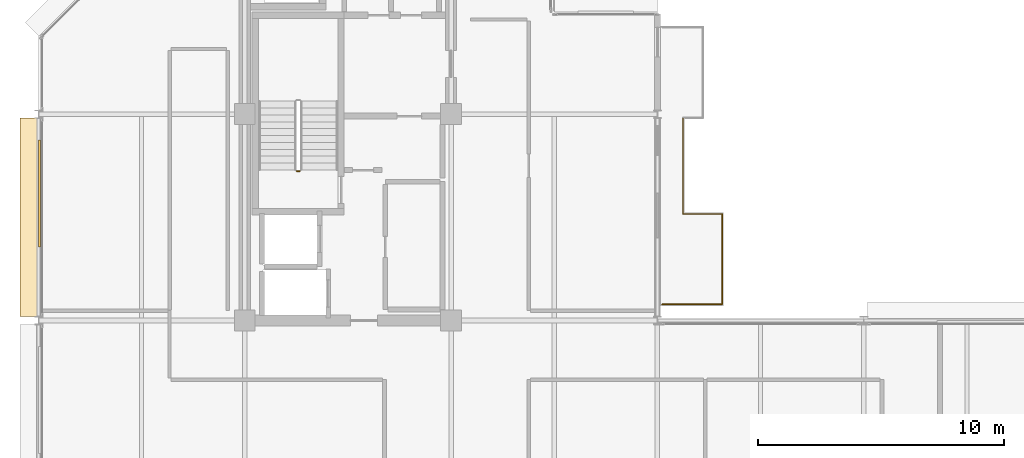
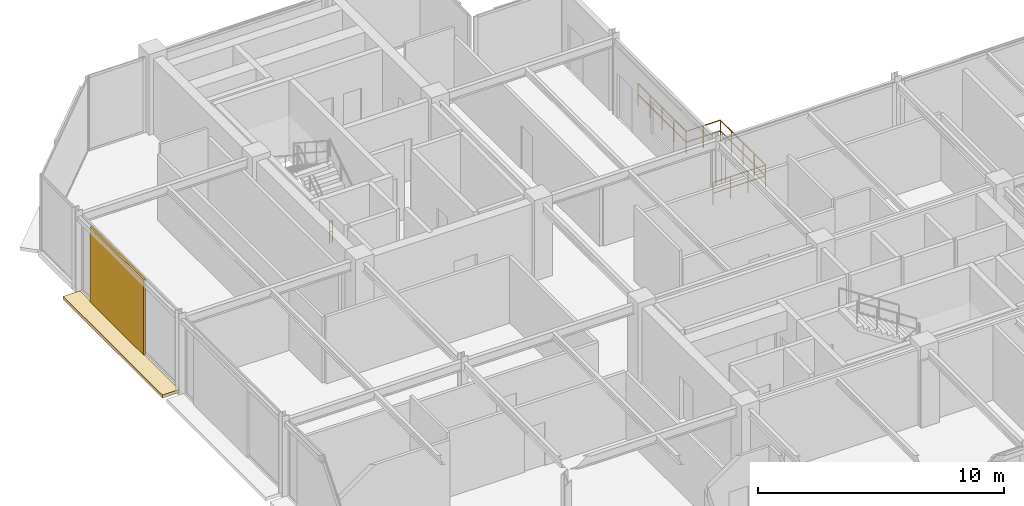
# One storey, part 25 of 27: 5 railings, 2 coverings.
"""IFC4 building model written with IfcOpenShell, lengths in metres."""

from ifc_helpers import new_model, si_unit, direction, frame, origin, origin_2d, place, context, subcontext, project, spatial, polyline, rectangle, circle, outline, extrude, material, layer, layer_set, type_object, element, save


model = new_model("IFC4")

# Units and contexts
model_context = context("Model", 3, precision=1e-05, world=origin(), true_north=direction((0.0, 1.0)))
body_context = subcontext(model_context, "Body", "Model", "MODEL_VIEW")
ifc_project = project(units=[si_unit("LENGTHUNIT", "METRE"), si_unit("AREAUNIT", "SQUARE_METRE"), si_unit("VOLUMEUNIT", "CUBIC_METRE"), si_unit("PLANEANGLEUNIT", "RADIAN"), si_unit("MASSUNIT", "GRAM", prefix="KILO")], contexts=[model_context])

# Site, building, storey
site_placement = place(None, origin())
site = spatial("IfcSite", under=ifc_project, at=site_placement, CompositionType="ELEMENT")
building_placement = place(site_placement, origin())
building = spatial("IfcBuilding", under=site, at=building_placement, Name="Nerrivon Quay Data Exchange", CompositionType="ELEMENT")
storey_placement = place(building_placement, frame((0.0, 0.0, 266.199951171875)))
storey = spatial("IfcBuildingStorey", under=building, at=storey_placement, Name="L63", CompositionType="ELEMENT", Elevation=266.199951171875)

# Coverings
ifc_material_1 = material(Name="Architectural terracotta ceramic", Category="masonry")
ifc_layer_1 = layer(ifc_material_1, 0.159912109375)
ifc_layer_set_1 = layer_set([ifc_layer_1], Name="Architectural terracotta ceramic")
covering_type_1 = type_object("IfcCoveringType", Name="COV-BLD-TERR", PredefinedType="CLADDING", material=ifc_layer_set_1)
covering_1_placement = place(storey_placement, frame((0.0, 0.0, -0.159912109375)))
element("IfcCovering", 1, at=covering_1_placement, inside=storey, type_object=covering_type_1, Name="L63 Horizontal Terracotta SOLAR SCREEN Blade", PredefinedType="CLADDING", context=body_context, shape_type="SweptSolid", body=[
    extrude(outline(polyline([(0.0400390625, 25.363525390625), (0.0400390625, 33.4365234375), (-0.75, 33.4365234375), (-0.75, 25.363525390625), (0.0400390625, 25.363525390625)])), origin(), (0.0, 0.0, 1.0), 0.159912109375),
])
ifc_layer_2 = layer(ifc_material_1, 0.090087890625)
ifc_layer_set_2 = layer_set([ifc_layer_2], Name="Architectural terracotta ceramic")
covering_type_2 = type_object("IfcCoveringType", Name="COV-SCR-TERR", PredefinedType="CLADDING", material=ifc_layer_set_2)
covering_2_placement = place(storey_placement, frame((0.044921875, 30.368896484375, 0.0), z_axis=(0.0, 0.0, 1.0), x_axis=(0.0, 1.0, 0.0)))
element("IfcCovering", 2, at=covering_2_placement, inside=storey, type_object=covering_type_2, Name="L63 Perforated Terracotta SOLAR SCREEN Cassette", PredefinedType="CLADDING", context=body_context, shape_type="SweptSolid", body=[
    extrude(rectangle(XDim=4.35888671875, YDim=0.090087890625, at=origin_2d()), origin(), (0.0, 0.0, 1.0), 3.72509765625),
])

# Railings
ifc_material_2 = material(Name="Steel Grade C350L0 (350 MPa)", Category="steel")
railing_type_1 = type_object("IfcRailingType", Name="RAIL-GUARD-GR2", PredefinedType="BALUSTRADE", material=ifc_material_2)
railing_1_placement = place(storey_placement, frame((26.239990234375, 29.5400390625, 0.0)))
element("IfcRailing", 3, at=railing_1_placement, inside=storey, type_object=railing_type_1, Name="L63 Verandah Balcony Guard 1.1 1", PredefinedType="BALUSTRADE", context=body_context, shape_type="SweptSolid", body=[
    extrude(circle(Radius=0.02392578125, at=origin_2d()), frame((0.0, 0.0, 1.09619140625), z_axis=(1.0, 0.0, 0.0), x_axis=(0.0, 1.0, 0.0)), (0.0, 0.0, 1.0), 1.60009765625),
    extrude(circle(Radius=0.02392578125, at=origin_2d()), frame((0.0, 0.0, 0.56005859375), z_axis=(1.0, 0.0, 0.0), x_axis=(0.0, 1.0, 0.0)), (0.0, 0.0, 1.0), 1.60009765625),
    extrude(circle(Radius=0.02099609375, at=origin_2d()), origin(), (0.0, 0.0, 1.0), 1.072021484375),
    extrude(circle(Radius=0.02099609375, at=origin_2d()), frame((0.800048828125, 0.0, 0.0)), (0.0, 0.0, 1.0), 1.072021484375),
    extrude(circle(Radius=0.02099609375, at=origin_2d()), frame((1.60009765625, 0.0, 0.0)), (0.0, 0.0, 1.0), 1.072021484375),
])
railing_2_placement = place(storey_placement, frame((27.840087890625, 29.5400390625, 0.0)))
element("IfcRailing", 4, at=railing_2_placement, inside=storey, type_object=railing_type_1, Name="L63 Verandah Balcony Guard 1.2 1", PredefinedType="BALUSTRADE", context=body_context, shape_type="SweptSolid", body=[
    extrude(circle(Radius=0.02392578125, at=origin_2d()), frame((0.0, 0.0, 1.09619140625), z_axis=(0.0, -1.0, 0.0), x_axis=(1.0, 0.0, 0.0)), (0.0, 0.0, 1.0), 3.679931640625),
    extrude(circle(Radius=0.02392578125, at=origin_2d()), frame((0.0, 0.0, 0.56005859375), z_axis=(0.0, -1.0, 0.0), x_axis=(1.0, 0.0, 0.0)), (0.0, 0.0, 1.0), 3.679931640625),
    extrude(circle(Radius=0.02099609375, at=origin_2d()), origin(), (0.0, 0.0, 1.0), 1.072021484375),
    extrude(circle(Radius=0.02099609375, at=origin_2d()), frame((0.0, -0.919921875, 0.0)), (0.0, 0.0, 1.0), 1.072021484375),
    extrude(circle(Radius=0.02099609375, at=origin_2d()), frame((0.0, -1.83984375, 0.0)), (0.0, 0.0, 1.0), 1.072021484375),
    extrude(circle(Radius=0.02099609375, at=origin_2d()), frame((0.0, -2.760009765625, 0.0)), (0.0, 0.0, 1.0), 1.072021484375),
    extrude(circle(Radius=0.02099609375, at=origin_2d()), frame((0.0, -3.679931640625, 0.0)), (0.0, 0.0, 1.0), 1.072021484375),
])
railing_3_placement = place(storey_placement, frame((27.840087890625, 25.860107421875, 0.0)))
element("IfcRailing", 5, at=railing_3_placement, inside=storey, type_object=railing_type_1, Name="L63 Verandah Balcony Guard 1.3 1", PredefinedType="BALUSTRADE", context=body_context, shape_type="SweptSolid", body=[
    extrude(circle(Radius=0.02392578125, at=origin_2d()), frame((0.0, 0.0, 1.09619140625), z_axis=(-1.0, 0.0, 0.0), x_axis=(0.0, -1.0, 0.0)), (0.0, 0.0, 1.0), 2.460205078125),
    extrude(circle(Radius=0.02392578125, at=origin_2d()), frame((0.0, 0.0, 0.56005859375), z_axis=(-1.0, 0.0, 0.0), x_axis=(0.0, -1.0, 0.0)), (0.0, 0.0, 1.0), 2.460205078125),
    extrude(circle(Radius=0.02099609375, at=origin_2d()), origin(), (0.0, 0.0, 1.0), 1.072021484375),
    extrude(circle(Radius=0.02099609375, at=origin_2d()), frame((-0.820068359375, 0.0, 0.0)), (0.0, 0.0, 1.0), 1.072021484375),
    extrude(circle(Radius=0.02099609375, at=origin_2d()), frame((-1.64013671875, 0.0, 0.0)), (0.0, 0.0, 1.0), 1.072021484375),
    extrude(circle(Radius=0.02099609375, at=origin_2d()), frame((-2.460205078125, 0.0, 0.0)), (0.0, 0.0, 1.0), 1.072021484375),
])
railing_4_placement = place(storey_placement, frame((26.239990234375, 33.4599609375, 0.0)))
element("IfcRailing", 6, at=railing_4_placement, inside=storey, type_object=railing_type_1, Name="L63 Verandah Balcony Guard 1.7 1", PredefinedType="BALUSTRADE", context=body_context, shape_type="SweptSolid", body=[
    extrude(circle(Radius=0.02392578125, at=origin_2d()), frame((0.0, 0.0, 1.09619140625), z_axis=(0.0, -1.0, 0.0), x_axis=(1.0, 0.0, 0.0)), (0.0, 0.0, 1.0), 3.919921875),
    extrude(circle(Radius=0.02392578125, at=origin_2d()), frame((0.0, 0.0, 0.56005859375), z_axis=(0.0, -1.0, 0.0), x_axis=(1.0, 0.0, 0.0)), (0.0, 0.0, 1.0), 3.919921875),
    extrude(circle(Radius=0.02099609375, at=origin_2d()), origin(), (0.0, 0.0, 1.0), 1.072021484375),
    extrude(circle(Radius=0.02099609375, at=origin_2d()), frame((0.0, -0.97998046875, 0.0)), (0.0, 0.0, 1.0), 1.072021484375),
    extrude(circle(Radius=0.02099609375, at=origin_2d()), frame((0.0, -1.9599609375, 0.0)), (0.0, 0.0, 1.0), 1.072021484375),
    extrude(circle(Radius=0.02099609375, at=origin_2d()), frame((0.0, -2.93994140625, 0.0)), (0.0, 0.0, 1.0), 1.072021484375),
    extrude(circle(Radius=0.02099609375, at=origin_2d()), frame((0.0, -3.919921875, 0.0)), (0.0, 0.0, 1.0), 1.072021484375),
])
railing_type_2 = type_object("IfcRailingType", Name="RAIL-STAIR-GR1", PredefinedType="BALUSTRADE", material=ifc_material_2)
railing_5_placement = place(storey_placement, frame((10.64990234375, 31.280029296875, 0.0)))
element("IfcRailing", 7, at=railing_5_placement, inside=storey, type_object=railing_type_2, Name="L63 ST01 stair guard 4", PredefinedType="BALUSTRADE", context=body_context, shape_type="SweptSolid", body=[
    extrude(circle(Radius=0.02392578125, at=origin_2d()), frame((0.0, 0.0, 1.076171875), z_axis=(-1.0, 0.0, 0.0), x_axis=(0.0, -1.0, 0.0)), (0.0, 0.0, 1.0), 0.14990234375),
    extrude(circle(Radius=0.02392578125, at=origin_2d()), frame((0.0, 0.0, 0.550048828125), z_axis=(-1.0, 0.0, 0.0), x_axis=(0.0, -1.0, 0.0)), (0.0, 0.0, 1.0), 0.14990234375),
    extrude(circle(Radius=0.02099609375, at=origin_2d()), origin(), (0.0, 0.0, 1.0), 1.052001953125),
    extrude(circle(Radius=0.02099609375, at=origin_2d()), frame((-0.14990234375, 0.0, 0.0)), (0.0, 0.0, 1.0), 1.052001953125),
])

save(model, "model.ifc")
